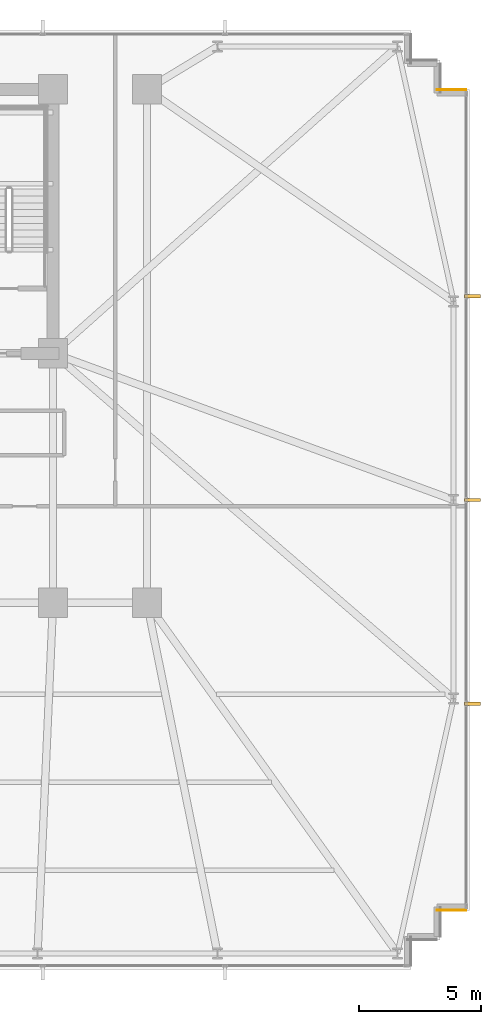
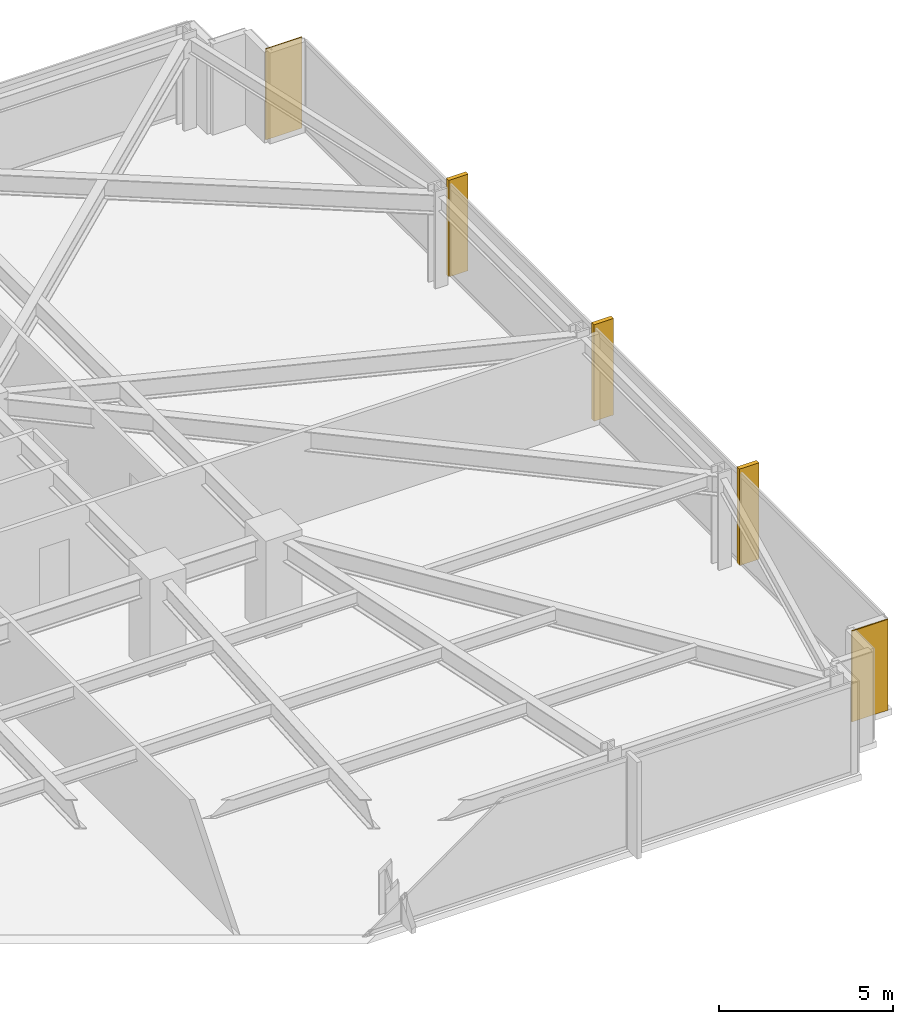
# One storey, part 33 of 33: 3 shading devices, 2 coverings.
"""IFC4 building model written with IfcOpenShell, lengths in metres."""

from ifc_helpers import new_model, si_unit, direction, frame, frame_2d, origin, origin_2d, place, context, subcontext, project, spatial, rectangle, extrude, material, layer, layer_set, type_object, element, save


model = new_model("IFC4")

# Units and contexts
model_context = context("Model", 3, precision=1e-05, world=origin(), true_north=direction((0.0, 1.0)))
body_context = subcontext(model_context, "Body", "Model", "MODEL_VIEW")
ifc_project = project(units=[si_unit("LENGTHUNIT", "METRE"), si_unit("AREAUNIT", "SQUARE_METRE"), si_unit("VOLUMEUNIT", "CUBIC_METRE"), si_unit("PLANEANGLEUNIT", "RADIAN"), si_unit("MASSUNIT", "GRAM", prefix="KILO")], contexts=[model_context])

# Site, building, storey
site_placement = place(None, origin())
site = spatial("IfcSite", under=ifc_project, at=site_placement, CompositionType="ELEMENT")
building_placement = place(site_placement, origin())
building = spatial("IfcBuilding", under=site, at=building_placement, Name="Yelkora Congress Tower", CompositionType="ELEMENT")
storey_placement = place(building_placement, frame((0.0, 0.0, 64.39990234375)))
storey = spatial("IfcBuildingStorey", under=building, at=storey_placement, Name="L16", CompositionType="ELEMENT", Elevation=64.39990234375)

# Coverings
ifc_material_1 = material(Name="Anatolian bush-hammered limestone", Category="masonry")
ifc_layer_1 = layer(ifc_material_1, 0.0400390625)
ifc_layer_set_1 = layer_set([ifc_layer_1], Name="Anatolian bush-hammered limestone")
covering_type = type_object("IfcCoveringType", Name="COV-CLAD-SPANDREL-40", PredefinedType="CLADDING", material=ifc_layer_set_1)
for number, where, z_axis, x_axis, name in (
    (1, (69.4599609375, 46.195068359375, 0.0), (0.0, 0.0, 1.0), (1.0, 0.0, 0.0), "L16 Anatolian Limestone Cladding EW-L16-SR14"),
    (2, (70.659912109375, 12.60498046875, 0.0), (0.0, 0.0, 1.0), (-1.0, 0.0, 0.0), "L16 Anatolian Limestone Cladding EW-L16-SR16"),
):
    element("IfcCovering", number, at=place(storey_placement, frame(where, z_axis=z_axis, x_axis=x_axis)), inside=storey, type_object=covering_type, Name=name, PredefinedType="CLADDING", context=body_context, shape_type="SweptSolid", body=[
        extrude(rectangle(XDim=1.199951171875, YDim=0.0400390625, at=frame_2d((0.60009765625, 0.0))), origin(), (0.0, 0.0, 1.0), 3.18017578125),
    ])

# Shading devices
ifc_material_2 = material(Name="Champagne anodised aluminium", Category="aluminium")
ifc_layer_2 = layer(ifc_material_2, 3.39990234375)
ifc_layer_set_2 = layer_set([ifc_layer_2], Name="Champagne anodised aluminium")
shading_device_type = type_object("IfcShadingDeviceType", Name="SHD-FIN-ALU-640", PredefinedType="USERDEFINED", material=ifc_layer_set_2)
for number, where, z_axis, x_axis, name in (
    (3, (70.919921875, 37.72998046875, -0.02978515625), (0.0, 0.0, 1.0), (0.0, -1.0, 0.0), "L16 Vertical Anodised Solar Fin 15-1"),
    (4, (70.919921875, 29.39990234375, -0.02978515625), (0.0, 0.0, 1.0), (0.0, -1.0, 0.0), "L16 Vertical Anodised Solar Fin 15-2"),
    (5, (70.919921875, 21.070068359375, -0.02978515625), (0.0, 0.0, 1.0), (0.0, -1.0, 0.0), "L16 Vertical Anodised Solar Fin 15-3"),
):
    element("IfcShadingDevice", number, at=place(storey_placement, frame(where, z_axis=z_axis, x_axis=x_axis)), inside=storey, type_object=shading_device_type, Name=name, ObjectType="FIN", PredefinedType="USERDEFINED", context=body_context, shape_type="SweptSolid", body=[
        extrude(rectangle(XDim=0.139892578125, YDim=0.639892578125, at=origin_2d()), origin(), (0.0, 0.0, 1.0), 3.3798828125),
    ])

save(model, "model.ifc")
